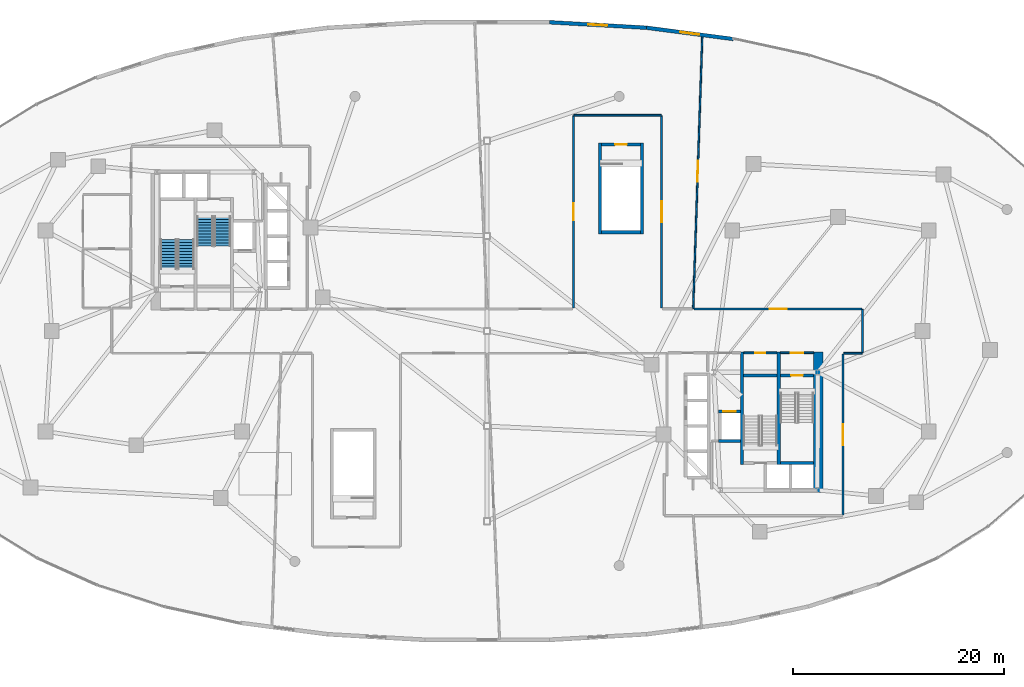
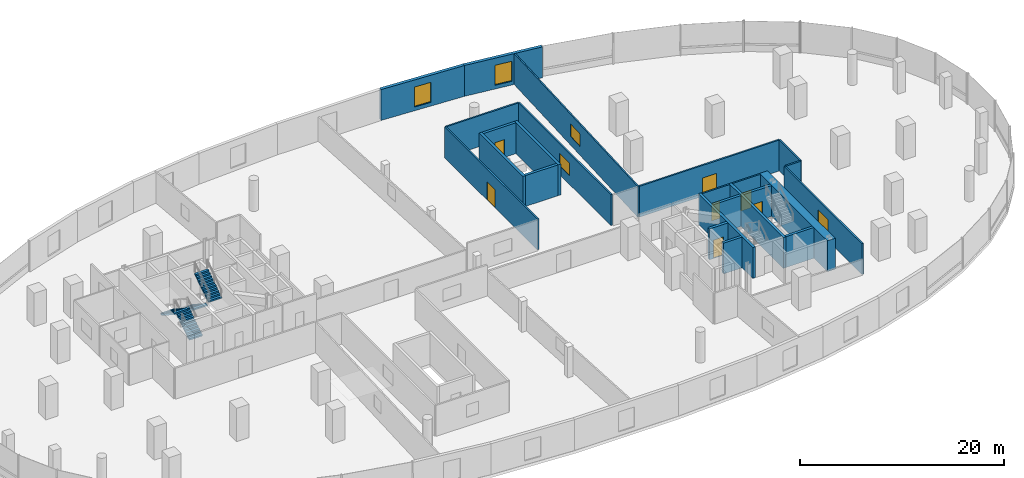
# One storey, part 15 of 18: 24 walls, 7 doors, 5 windows, 4 stair flights, 12 openings, 2 elements without a shape of their own.
"""IFC4 building model written with IfcOpenShell, lengths in metres."""

from ifc_helpers import new_model, si_unit, direction, frame, frame_2d, origin, place, context, subcontext, project, spatial, polyline, rectangle, outline, extrude, material, layer, layer_set, type_object, element, fill, aggregate, save


model = new_model("IFC4")

# Units and contexts
model_context = context("Model", 3, precision=1e-05, world=origin(), true_north=direction((0.0, 1.0)))
body_context = subcontext(model_context, "Body", "Model", "MODEL_VIEW")
ifc_project = project(units=[si_unit("LENGTHUNIT", "METRE"), si_unit("AREAUNIT", "SQUARE_METRE"), si_unit("VOLUMEUNIT", "CUBIC_METRE"), si_unit("PLANEANGLEUNIT", "RADIAN"), si_unit("MASSUNIT", "GRAM", prefix="KILO"), si_unit("THERMODYNAMICTEMPERATUREUNIT", "KELVIN"), si_unit("POWERUNIT", "WATT")], contexts=[model_context])

# Site, building, storey
site_placement = place(None, origin())
site = spatial("IfcSite", under=ifc_project, at=site_placement, CompositionType="ELEMENT")
building_placement = place(site_placement, origin())
building = spatial("IfcBuilding", under=site, at=building_placement, Name="Cundina Bronze Exchange", CompositionType="ELEMENT")
storey_placement = place(building_placement, frame((0.0, 0.0, 20.0)))
storey = spatial("IfcBuildingStorey", under=building, at=storey_placement, Name="L04", CompositionType="ELEMENT", Elevation=20.0)

# Wall, opening, door
ifc_material_1 = material(Name="Gypsum Fireboard Partition EI120")
ifc_layer_1 = layer(ifc_material_1, 0.179931640625, Name="Gypsum Fireboard Partition EI120")
ifc_layer_set_1 = layer_set([ifc_layer_1], Name="Gypsum Fireboard Partition EI120")
wall_type_1 = type_object("IfcWallType", Name="WL-COR-180", PredefinedType="PARTITIONING", material=ifc_layer_set_1)
wall_1_placement = place(storey_placement, frame((27.739990234375, -2.06005859375, 0.0), z_axis=(0.0, 0.0, 1.0), x_axis=(1.0, 0.0, 0.0)))
wall_1 = element("IfcWall", 1, at=wall_1_placement, inside=storey, type_object=wall_type_1, Name="L04 E Stair Vestibule Exit Wall", PredefinedType="PARTITIONING", context=body_context, shape_type="SweptSolid", body=[
    extrude(rectangle(XDim=3.159912109375, YDim=0.179931640625, at=frame_2d((1.580078125, 0.0))), origin(), (0.0, 0.0, 1.0), 3.699951171875),
])
opening_1_placement = place(wall_1_placement, frame((0.97998046875, 0.0, 0.0)))
opening_1 = element("IfcOpeningElement", 2, at=opening_1_placement, cuts=wall_1, Name="Opening DF-01", PredefinedType="OPENING", context=body_context, shape_type="SweptSolid", body=[
    extrude(rectangle(XDim=1.199951171875, YDim=2.14990234375, at=frame_2d((0.60009765625, 1.074951171875))), frame((0.0, 0.099853515625, 0.0), z_axis=(0.0, -1.0, 0.0), x_axis=(1.0, 0.0, 0.0)), (0.0, 0.0, 1.0), 0.199951171875),
])
ifc_material_2 = material(Name="Steel ASTM A36 Painted", Category="steel")
door_type_1 = type_object("IfcDoorType", Name="DR-FFL-1200", OperationType="NOTDEFINED", PredefinedType="DOOR", material=ifc_material_2)
door_1_placement = place(opening_1_placement, origin())
door_1 = element("IfcDoor", 3, at=door_1_placement, inside=storey, type_object=door_type_1, Name="L04 E Stair Vestibule Door", OperationType="SINGLE_SWING_RIGHT", OverallHeight=2.14990234375, OverallWidth=1.199951171875, PredefinedType="DOOR", context=body_context, shape_type="SweptSolid", body=[
    extrude(rectangle(XDim=1.199951171875, YDim=2.14990234375, at=frame_2d((0.60009765625, 1.074951171875))), frame((0.0, 0.02490234375, 0.0), z_axis=(0.0, -1.0, 0.0), x_axis=(1.0, 0.0, 0.0)), (0.0, 0.0, 1.0), 0.050048828125),
])
fill(opening_1, door_1)

wall_2_placement = place(storey_placement, frame((24.300048828125, -2.070068359375, 0.0), z_axis=(0.0, 0.0, 1.0), x_axis=(1.0, 0.0, 0.0)))
wall_2 = element("IfcWall", 4, at=wall_2_placement, inside=storey, type_object=wall_type_1, Name="L04 Interior Partition 010", PredefinedType="PARTITIONING", context=body_context, shape_type="SweptSolid", body=[
    extrude(rectangle(XDim=3.119873046875, YDim=0.179931640625, at=frame_2d((1.56005859375, 0.0))), origin(), (0.0, 0.0, 1.0), 3.699951171875),
])
opening_2_placement = place(wall_2_placement, frame((1.0849609375, 0.0, 0.0)))
opening_2 = element("IfcOpeningElement", 5, at=opening_2_placement, cuts=wall_2, Name="Opening DW-01", PredefinedType="OPENING", context=body_context, shape_type="SweptSolid", body=[
    extrude(rectangle(XDim=0.949951171875, YDim=2.10009765625, at=frame_2d((0.47509765625, 1.050048828125))), frame((0.0, 0.099853515625, 0.0), z_axis=(0.0, -1.0, 0.0), x_axis=(1.0, 0.0, 0.0)), (0.0, 0.0, 1.0), 0.199951171875),
])
ifc_material_3 = material(Name="Solid Andean Oak Timber Grade A", Category="wood")
door_type_2 = type_object("IfcDoorType", Name="DR-WC-950", OperationType="NOTDEFINED", PredefinedType="DOOR", material=ifc_material_3)
door_2_placement = place(opening_2_placement, origin())
door_2 = element("IfcDoor", 6, at=door_2_placement, inside=storey, type_object=door_type_2, Name="L04 Interior Door 010", OperationType="SINGLE_SWING_RIGHT", OverallHeight=2.10009765625, OverallWidth=0.949951171875, PredefinedType="DOOR", context=body_context, shape_type="SweptSolid", body=[
    extrude(rectangle(XDim=0.949951171875, YDim=2.10009765625, at=frame_2d((0.47509765625, 1.050048828125))), frame((0.0, 0.02490234375, 0.0), z_axis=(0.0, -1.0, 0.0), x_axis=(1.0, 0.0, 0.0)), (0.0, 0.0, 1.0), 0.050048828125),
])
fill(opening_2, door_2)

wall_3_placement = place(storey_placement, frame((35.478515625, 2.10009765625, 0.0), z_axis=(0.0, 0.0, 1.0), x_axis=(-1.0, 0.0, 0.0)))
wall_3 = element("IfcWall", 7, at=wall_3_placement, inside=storey, type_object=wall_type_1, Name="L04 Interior Partition 039", PredefinedType="PARTITIONING", context=body_context, shape_type="SweptSolid", body=[
    extrude(rectangle(XDim=15.883544921875, YDim=0.179931640625, at=frame_2d((7.94189453125, 0.0))), origin(), (0.0, 0.0, 1.0), 3.699951171875),
])
opening_3_placement = place(wall_3_placement, frame((7.1416015625, 0.0, 0.0)))
opening_3 = element("IfcOpeningElement", 8, at=opening_3_placement, cuts=wall_3, Name="Opening DO-02", PredefinedType="OPENING", context=body_context, shape_type="SweptSolid", body=[
    extrude(rectangle(XDim=1.60009765625, YDim=2.199951171875, at=frame_2d((0.800048828125, 1.10009765625))), frame((0.0, 0.099853515625, 0.0), z_axis=(0.0, -1.0, 0.0), x_axis=(1.0, 0.0, 0.0)), (0.0, 0.0, 1.0), 0.199951171875),
])
door_type_3 = type_object("IfcDoorType", Name="DR-TRD-1600", OperationType="NOTDEFINED", PredefinedType="DOOR", material=ifc_material_3)
door_3_placement = place(opening_3_placement, origin())
door_3 = element("IfcDoor", 9, at=door_3_placement, inside=storey, type_object=door_type_3, Name="L04 Interior Door 039", OperationType="SINGLE_SWING_RIGHT", OverallHeight=2.199951171875, OverallWidth=1.60009765625, PredefinedType="DOOR", context=body_context, shape_type="SweptSolid", body=[
    extrude(rectangle(XDim=1.60009765625, YDim=2.199951171875, at=frame_2d((0.800048828125, 1.10009765625))), frame((0.0, 0.02490234375, 0.0), z_axis=(0.0, -1.0, 0.0), x_axis=(1.0, 0.0, 0.0)), (0.0, 0.0, 1.0), 0.050048828125),
])
fill(opening_3, door_3)

# Wall, opening, window
wall_4_placement = place(storey_placement, frame((33.669921875, -17.428466796875, 0.0), z_axis=(0.0, 0.0, 1.0), x_axis=(0.0, 1.0, 0.0)))
wall_4 = element("IfcWall", 10, at=wall_4_placement, inside=storey, type_object=wall_type_1, Name="L04 Interior Partition 040", PredefinedType="PARTITIONING", context=body_context, shape_type="SweptSolid", body=[
    extrude(rectangle(XDim=15.24853515625, YDim=0.179931640625, at=frame_2d((7.624267578125, 0.0))), origin(), (0.0, 0.0, 1.0), 3.699951171875),
])
opening_4_placement = place(wall_4_placement, frame((6.6240234375, 0.0, 1.050048828125)))
opening_4 = element("IfcOpeningElement", 11, at=opening_4_placement, cuts=wall_4, Name="Opening WI-01", PredefinedType="OPENING", context=body_context, shape_type="SweptSolid", body=[
    extrude(rectangle(XDim=2.0, YDim=1.5, at=frame_2d((1.0, 0.75))), frame((0.0, 0.099853515625, 0.0), z_axis=(0.0, -1.0, 0.0), x_axis=(1.0, 0.0, 0.0)), (0.0, 0.0, 1.0), 0.199951171875),
])
ifc_material_4 = material(Name="Clear Low-E Insulating Glass 26mm", Category="glass")
window_type_1 = type_object("IfcWindowType", Name="WN-INT-2000", PartitioningType="SINGLE_PANEL", PredefinedType="WINDOW", material=ifc_material_4)
window_1_placement = place(opening_4_placement, origin())
window_1 = element("IfcWindow", 12, at=window_1_placement, inside=storey, type_object=window_type_1, Name="L04 Interior Acoustic Vision Window 040", OverallHeight=1.5, OverallWidth=2.0, PartitioningType="SINGLE_PANEL", PredefinedType="WINDOW", context=body_context, shape_type="SweptSolid", body=[
    extrude(rectangle(XDim=2.0, YDim=1.5, at=frame_2d((1.0, 0.75))), frame((0.0, 0.030029296875, 0.0), z_axis=(0.0, -1.0, 0.0), x_axis=(1.0, 0.0, 0.0)), (0.0, 0.0, 1.0), 0.06005859375),
])
fill(opening_4, window_1)

# Walls
wall_5_placement = place(storey_placement, frame((35.52001953125, -2.05859375, 0.0), z_axis=(0.0, 0.0, 1.0), x_axis=(0.0, 1.0, 0.0)))
element("IfcWall", 13, at=wall_5_placement, inside=storey, type_object=wall_type_1, Name="L04 Interior Partition 042", PredefinedType="PARTITIONING", context=body_context, shape_type="SweptSolid", body=[
    extrude(rectangle(XDim=4.1171875, YDim=0.179931640625, at=frame_2d((2.05859375, 0.0))), origin(), (0.0, 0.0, 1.0), 3.699951171875),
])
wall_6_placement = place(storey_placement, frame((33.75, -2.10009765625, 0.0), z_axis=(0.0, 0.0, 1.0), x_axis=(1.0, 0.0, 0.0)))
element("IfcWall", 14, at=wall_6_placement, inside=storey, type_object=wall_type_1, Name="L04 Interior Partition 043", PredefinedType="PARTITIONING", context=body_context, shape_type="SweptSolid", body=[
    extrude(rectangle(XDim=1.728515625, YDim=0.179931640625, at=frame_2d((0.8642578125, 0.0))), origin(), (0.0, 0.0, 1.0), 3.699951171875),
])

# Wall, opening, door
wall_7_placement = place(storey_placement, frame((8.179931640625, 20.37841796875, 0.0), z_axis=(0.0, 0.0, 1.0), x_axis=(0.0, -1.0, 0.0)))
wall_7 = element("IfcWall", 15, at=wall_7_placement, inside=storey, type_object=wall_type_1, Name="L04 Interior Partition 047", PredefinedType="PARTITIONING", context=body_context, shape_type="SweptSolid", body=[
    extrude(rectangle(XDim=18.198486328125, YDim=0.179931640625, at=frame_2d((9.09912109375, 0.0))), origin(), (0.0, 0.0, 1.0), 3.699951171875),
])
opening_5_placement = place(wall_7_placement, frame((8.29931640625, 0.0, 0.0)))
opening_5 = element("IfcOpeningElement", 16, at=opening_5_placement, cuts=wall_7, Name="Opening DO-02", PredefinedType="OPENING", context=body_context, shape_type="SweptSolid", body=[
    extrude(rectangle(XDim=1.60009765625, YDim=2.199951171875, at=frame_2d((0.800048828125, 1.10009765625))), frame((0.0, 0.099853515625, 0.0), z_axis=(0.0, -1.0, 0.0), x_axis=(1.0, 0.0, 0.0)), (0.0, 0.0, 1.0), 0.199951171875),
])
door_4_placement = place(opening_5_placement, origin())
door_4 = element("IfcDoor", 17, at=door_4_placement, inside=storey, type_object=door_type_3, Name="L04 Interior Door 047", OperationType="SINGLE_SWING_RIGHT", OverallHeight=2.199951171875, OverallWidth=1.60009765625, PredefinedType="DOOR", context=body_context, shape_type="SweptSolid", body=[
    extrude(rectangle(XDim=1.60009765625, YDim=2.199951171875, at=frame_2d((0.800048828125, 1.10009765625))), frame((0.0, 0.02490234375, 0.0), z_axis=(0.0, -1.0, 0.0), x_axis=(1.0, 0.0, 0.0)), (0.0, 0.0, 1.0), 0.050048828125),
])
fill(opening_5, door_4)

# Wall, opening, window
wall_8_placement = place(storey_placement, frame((16.52001953125, 2.179931640625, 0.0), z_axis=(0.0, 0.0, 1.0), x_axis=(0.0, 1.0, 0.0)))
wall_8 = element("IfcWall", 18, at=wall_8_placement, inside=storey, type_object=wall_type_1, Name="L04 Interior Partition 048", PredefinedType="PARTITIONING", context=body_context, shape_type="SweptSolid", body=[
    extrude(rectangle(XDim=18.198486328125, YDim=0.179931640625, at=frame_2d((9.09912109375, 0.0))), origin(), (0.0, 0.0, 1.0), 3.699951171875),
])
opening_6_placement = place(wall_8_placement, frame((8.09912109375, 0.0, 1.050048828125)))
opening_6 = element("IfcOpeningElement", 19, at=opening_6_placement, cuts=wall_8, Name="Opening WI-01", PredefinedType="OPENING", context=body_context, shape_type="SweptSolid", body=[
    extrude(rectangle(XDim=2.0, YDim=1.5, at=frame_2d((1.0, 0.75))), frame((0.0, 0.099853515625, 0.0), z_axis=(0.0, -1.0, 0.0), x_axis=(1.0, 0.0, 0.0)), (0.0, 0.0, 1.0), 0.199951171875),
])
window_2_placement = place(opening_6_placement, origin())
window_2 = element("IfcWindow", 20, at=window_2_placement, inside=storey, type_object=window_type_1, Name="L04 Interior Acoustic Vision Window 048", OverallHeight=1.5, OverallWidth=2.0, PartitioningType="SINGLE_PANEL", PredefinedType="WINDOW", context=body_context, shape_type="SweptSolid", body=[
    extrude(rectangle(XDim=2.0, YDim=1.5, at=frame_2d((1.0, 0.75))), frame((0.0, 0.030029296875, 0.0), z_axis=(0.0, -1.0, 0.0), x_axis=(1.0, 0.0, 0.0)), (0.0, 0.0, 1.0), 0.06005859375),
])
fill(opening_6, window_2)

# Walls
wall_9_placement = place(storey_placement, frame((16.478515625, 20.419921875, 0.0), z_axis=(0.0, 0.0, 1.0), x_axis=(-1.0, 0.0, 0.0)))
element("IfcWall", 21, at=wall_9_placement, inside=storey, type_object=wall_type_1, Name="L04 Interior Partition 049", PredefinedType="PARTITIONING", context=body_context, shape_type="SweptSolid", body=[
    extrude(rectangle(XDim=8.257080078125, YDim=0.179931640625, at=frame_2d((4.12841796875, 0.0))), origin(), (0.0, 0.0, 1.0), 3.699951171875),
])
ifc_material_5 = material(Name="Concrete C60/75", Category="concrete")
ifc_layer_2 = layer(ifc_material_5, 0.89990234375, Name="Concrete C60/75", Category="concrete")
ifc_layer_set_2 = layer_set([ifc_layer_2], Name="Concrete C60/75")
wall_type_2 = type_object("IfcWallType", Name="WL-CORE-900", PredefinedType="SHEAR", material=ifc_layer_set_2)
wall_10_placement = place(storey_placement, frame((31.35009765625, -15.300048828125, 0.0), z_axis=(0.0, 0.0, 1.0), x_axis=(0.0, 1.0, 0.0)))
element("IfcWall", 22, at=wall_10_placement, inside=storey, type_object=wall_type_2, Name="L04 E Primary Core Shear Spine Wall", PredefinedType="SHEAR", context=body_context, shape_type="SweptSolid", body=[
    extrude(rectangle(XDim=13.330078125, YDim=0.89990234375, at=frame_2d((6.6650390625, 0.0))), origin(), (0.0, 0.0, 1.0), 3.699951171875),
])

# Wall, opening, window
ifc_material_6 = material(Name="Concrete C40/50", Category="concrete")
ifc_layer_3 = layer(ifc_material_6, 0.35009765625, Name="Concrete C40/50", Category="concrete")
ifc_layer_set_3 = layer_set([ifc_layer_3], Name="Concrete C40/50")
wall_type_3 = type_object("IfcWallType", Name="WL-EXT-350", PredefinedType="SOLIDWALL", material=ifc_layer_set_3)
wall_11_placement = place(storey_placement, frame((23.29345703125, 27.63232421875, 0.0), z_axis=(0.0, 0.0, 1.0), x_axis=(-0.99168663472, 0.128676410104, 0.0)))
wall_11 = element("IfcWall", 23, at=wall_11_placement, inside=storey, type_object=wall_type_3, Name="L04 Podium Exterior Wall 08", PredefinedType="SOLIDWALL", context=body_context, shape_type="SweptSolid", body=[
    extrude(rectangle(XDim=8.28369140625, YDim=0.35009765625, at=frame_2d((4.141845703125, 0.0))), origin(), (0.0, 0.0, 1.0), 3.699951171875),
])
opening_7_placement = place(wall_11_placement, frame((3.241943359375, 0.0, 0.449951171875)))
opening_7 = element("IfcOpeningElement", 24, at=opening_7_placement, cuts=wall_11, Name="Opening W-02", PredefinedType="OPENING", context=body_context, shape_type="SweptSolid", body=[
    extrude(rectangle(XDim=1.800048828125, YDim=2.39990234375, at=frame_2d((0.89990234375, 1.199951171875))), frame((0.0, 0.18505859375, 0.0), z_axis=(0.0, -1.0, 0.0), x_axis=(1.0, 0.0, 0.0)), (0.0, 0.0, 1.0), 0.3701171875),
])
ifc_material_7 = material(Name="Heat-Strengthened Solar-Control Bronze Safety Glass 28mm", Category="glass")
window_type_2 = type_object("IfcWindowType", Name="WN-POD-1800", PartitioningType="SINGLE_PANEL", PredefinedType="WINDOW", material=ifc_material_7)
window_3_placement = place(opening_7_placement, origin())
window_3 = element("IfcWindow", 25, at=window_3_placement, inside=storey, type_object=window_type_2, Name="L04 Podium Punched Window 08", OverallHeight=2.39990234375, OverallWidth=1.800048828125, PartitioningType="SINGLE_PANEL", PredefinedType="WINDOW", context=body_context, shape_type="SweptSolid", body=[
    extrude(rectangle(XDim=1.800048828125, YDim=2.39990234375, at=frame_2d((0.89990234375, 1.199951171875))), frame((0.0, 0.030029296875, 0.0), z_axis=(0.0, -1.0, 0.0), x_axis=(1.0, 0.0, 0.0)), (0.0, 0.0, 1.0), 0.06005859375),
])
fill(opening_7, window_3)

wall_12_placement = place(storey_placement, frame((15.07861328125, 28.6982421875, 0.0), z_axis=(0.0, 0.0, 1.0), x_axis=(-0.998413463137, 0.056307695976, 0.0)))
wall_12 = element("IfcWall", 26, at=wall_12_placement, inside=storey, type_object=wall_type_3, Name="L04 Podium Exterior Wall 09", PredefinedType="SOLIDWALL", context=body_context, shape_type="SweptSolid", body=[
    extrude(rectangle(XDim=9.20068359375, YDim=0.35009765625, at=frame_2d((4.600341796875, 0.0))), origin(), (0.0, 0.0, 1.0), 3.699951171875),
])
opening_8_placement = place(wall_12_placement, frame((3.699951171875, 0.0, 0.449951171875)))
opening_8 = element("IfcOpeningElement", 27, at=opening_8_placement, cuts=wall_12, Name="Opening W-02", PredefinedType="OPENING", context=body_context, shape_type="SweptSolid", body=[
    extrude(rectangle(XDim=1.800048828125, YDim=2.39990234375, at=frame_2d((0.89990234375, 1.199951171875))), frame((0.0, 0.18505859375, 0.0), z_axis=(0.0, -1.0, 0.0), x_axis=(1.0, 0.0, 0.0)), (0.0, 0.0, 1.0), 0.3701171875),
])
window_4_placement = place(opening_8_placement, origin())
window_4 = element("IfcWindow", 28, at=window_4_placement, inside=storey, type_object=window_type_2, Name="L04 Podium Punched Window 09", OverallHeight=2.39990234375, OverallWidth=1.800048828125, PartitioningType="SINGLE_PANEL", PredefinedType="WINDOW", context=body_context, shape_type="SweptSolid", body=[
    extrude(rectangle(XDim=1.800048828125, YDim=2.39990234375, at=frame_2d((0.89990234375, 1.199951171875))), frame((0.0, 0.030029296875, 0.0), z_axis=(0.0, -1.0, 0.0), x_axis=(1.0, 0.0, 0.0)), (0.0, 0.0, 1.0), 0.06005859375),
])
fill(opening_8, window_4)

# Walls
ifc_material_8 = material(Name="Concrete C50/60", Category="concrete")
ifc_layer_4 = layer(ifc_material_8, 0.300048828125, Name="Concrete C50/60", Category="concrete")
ifc_layer_set_4 = layer_set([ifc_layer_4], Name="Concrete C50/60")
wall_type_4 = type_object("IfcWallType", Name="WL-SHFT-300", PredefinedType="SHEAR", material=ifc_layer_set_4)
for number, where, z_axis, x_axis, name in (
    (29, (10.669921875, 9.199951171875, 0.0), (0.0, 0.0, 1.0), (0.0, 1.0, 0.0), "L04 Concourse Stair E West Shaft Wall"),
    (30, (14.669921875, 9.199951171875, 0.0), (0.0, 0.0, 1.0), (0.0, 1.0, 0.0), "L04 Concourse Stair E East Shaft Wall"),
):
    element("IfcWall", number, at=place(storey_placement, frame(where, z_axis=z_axis, x_axis=x_axis)), inside=storey, type_object=wall_type_4, Name=name, PredefinedType="SHEAR", context=body_context, shape_type="SweptSolid", body=[
        extrude(rectangle(XDim=8.60009765625, YDim=0.300048828125, at=frame_2d((4.300048828125, 0.0))), origin(), (0.0, 0.0, 1.0), 3.699951171875),
    ])

# Wall, opening, door
wall_13_placement = place(storey_placement, frame((10.820068359375, 17.64990234375, 0.0), z_axis=(0.0, 0.0, 1.0), x_axis=(1.0, 0.0, 0.0)))
wall_13 = element("IfcWall", 31, at=wall_13_placement, inside=storey, type_object=wall_type_4, Name="L04 Concourse Stair E Landing Wall", PredefinedType="SHEAR", context=body_context, shape_type="SweptSolid", body=[
    extrude(rectangle(XDim=3.699951171875, YDim=0.300048828125, at=frame_2d((1.85009765625, 0.0))), origin(), (0.0, 0.0, 1.0), 3.699951171875),
])
opening_9_placement = place(wall_13_placement, frame((1.300048828125, 0.0, 0.0)))
opening_9 = element("IfcOpeningElement", 32, at=opening_9_placement, cuts=wall_13, Name="Opening DS-01", PredefinedType="OPENING", context=body_context, shape_type="SweptSolid", body=[
    extrude(rectangle(XDim=1.10009765625, YDim=2.14990234375, at=frame_2d((0.550048828125, 1.074951171875))), frame((0.0, 0.159912109375, 0.0), z_axis=(0.0, -1.0, 0.0), x_axis=(1.0, 0.0, 0.0)), (0.0, 0.0, 1.0), 0.320068359375),
])
door_type_4 = type_object("IfcDoorType", Name="DR-STR-1100", OperationType="NOTDEFINED", PredefinedType="DOOR", material=ifc_material_2)
door_5_placement = place(opening_9_placement, origin())
door_5 = element("IfcDoor", 33, at=door_5_placement, inside=storey, type_object=door_type_4, Name="L04 Concourse Stair E Door", OperationType="SINGLE_SWING_RIGHT", OverallHeight=2.14990234375, OverallWidth=1.10009765625, PredefinedType="DOOR", context=body_context, shape_type="SweptSolid", body=[
    extrude(rectangle(XDim=1.10009765625, YDim=2.14990234375, at=frame_2d((0.550048828125, 1.074951171875))), frame((0.0, 0.02490234375, 0.0), z_axis=(0.0, -1.0, 0.0), x_axis=(1.0, 0.0, 0.0)), (0.0, 0.0, 1.0), 0.050048828125),
])
fill(opening_9, door_5)

# Walls
wall_14_placement = place(storey_placement, frame((10.820068359375, 9.35009765625, 0.0), z_axis=(0.0, 0.0, 1.0), x_axis=(1.0, 0.0, 0.0)))
element("IfcWall", 34, at=wall_14_placement, inside=storey, type_object=wall_type_4, Name="L04 Concourse Stair E Far Shaft Wall", PredefinedType="SHEAR", context=body_context, shape_type="SweptSolid", body=[
    extrude(rectangle(XDim=3.699951171875, YDim=0.300048828125, at=frame_2d((1.85009765625, 0.0))), origin(), (0.0, 0.0, 1.0), 3.699951171875),
])
for number, where, z_axis, x_axis, name in (
    (35, (27.590087890625, -12.64990234375, 0.0), (0.0, 0.0, 1.0), (0.0, 1.0, 0.0), "L04 E Stair Shaft Dividing Shear Wall"),
    (36, (24.1298828125, -12.64990234375, 0.0), (0.0, 0.0, 1.0), (0.0, 1.0, 0.0), "L04 E Stair 2 East Shear Wall"),
):
    element("IfcWall", number, at=place(storey_placement, frame(where, z_axis=z_axis, x_axis=x_axis)), inside=storey, type_object=wall_type_4, Name=name, PredefinedType="SHEAR", context=body_context, shape_type="SweptSolid", body=[
        extrude(rectangle(XDim=10.679931640625, YDim=0.300048828125, at=frame_2d((5.33984375, 0.0))), origin(), (0.0, 0.0, 1.0), 3.699951171875),
    ])

# Wall, opening, door
wall_15_placement = place(storey_placement, frame((27.739990234375, -4.199951171875, 0.0), z_axis=(0.0, 0.0, 1.0), x_axis=(1.0, 0.0, 0.0)))
wall_15 = element("IfcWall", 37, at=wall_15_placement, inside=storey, type_object=wall_type_4, Name="L04 Stair E1 Landing Wall", PredefinedType="SHEAR", context=body_context, shape_type="SweptSolid", body=[
    extrude(rectangle(XDim=3.159912109375, YDim=0.300048828125, at=frame_2d((1.580078125, 0.0))), origin(), (0.0, 0.0, 1.0), 3.699951171875),
])
opening_10_placement = place(wall_15_placement, frame((1.030029296875, 0.0, 0.0)))
opening_10 = element("IfcOpeningElement", 38, at=opening_10_placement, cuts=wall_15, Name="Opening DS-01", PredefinedType="OPENING", context=body_context, shape_type="SweptSolid", body=[
    extrude(rectangle(XDim=1.10009765625, YDim=2.14990234375, at=frame_2d((0.550048828125, 1.074951171875))), frame((0.0, 0.159912109375, 0.0), z_axis=(0.0, -1.0, 0.0), x_axis=(1.0, 0.0, 0.0)), (0.0, 0.0, 1.0), 0.320068359375),
])
door_6_placement = place(opening_10_placement, origin())
door_6 = element("IfcDoor", 39, at=door_6_placement, inside=storey, type_object=door_type_4, Name="L04 Smokeproof Stair E1 Door", OperationType="SINGLE_SWING_LEFT", OverallHeight=2.14990234375, OverallWidth=1.10009765625, PredefinedType="DOOR", context=body_context, shape_type="SweptSolid", body=[
    extrude(rectangle(XDim=1.10009765625, YDim=2.14990234375, at=frame_2d((0.550048828125, 1.074951171875))), frame((0.0, 0.02490234375, 0.0), z_axis=(0.0, -1.0, 0.0), x_axis=(1.0, 0.0, 0.0)), (0.0, 0.0, 1.0), 0.050048828125),
])
fill(opening_10, door_6)

# Walls
for number, where, z_axis, x_axis, name in (
    (40, (27.739990234375, -12.5, 0.0), (0.0, 0.0, 1.0), (1.0, 0.0, 0.0), "L04 Stair E1 Far Shaft Wall"),
    (41, (24.280029296875, -4.199951171875, 0.0), (0.0, 0.0, 1.0), (1.0, 0.0, 0.0), "L04 Stair E2 Far Shaft Wall"),
):
    element("IfcWall", number, at=place(storey_placement, frame(where, z_axis=z_axis, x_axis=x_axis)), inside=storey, type_object=wall_type_4, Name=name, PredefinedType="SHEAR", context=body_context, shape_type="SweptSolid", body=[
        extrude(rectangle(XDim=3.159912109375, YDim=0.300048828125, at=frame_2d((1.580078125, 0.0))), origin(), (0.0, 0.0, 1.0), 3.699951171875),
    ])

# Wall, opening, door
wall_16_placement = place(storey_placement, frame((21.8798828125, -7.60009765625, 0.0), z_axis=(0.0, 0.0, 1.0), x_axis=(1.0, 0.0, 0.0)))
wall_16 = element("IfcWall", 42, at=wall_16_placement, inside=storey, type_object=wall_type_4, Name="L04 FFL-E Hoistway Front Wall", PredefinedType="SHEAR", context=body_context, shape_type="SweptSolid", body=[
    extrude(rectangle(XDim=2.10009765625, YDim=0.300048828125, at=frame_2d((1.050048828125, 0.0))), origin(), (0.0, 0.0, 1.0), 3.699951171875),
])
opening_11_placement = place(wall_16_placement, frame((0.47509765625, 0.0, 0.0)))
opening_11 = element("IfcOpeningElement", 43, at=opening_11_placement, cuts=wall_16, Name="Opening LD-01", PredefinedType="OPENING", context=body_context, shape_type="SweptSolid", body=[
    extrude(rectangle(XDim=1.14990234375, YDim=2.199951171875, at=frame_2d((0.574951171875, 1.10009765625))), frame((0.0, 0.159912109375, 0.0), z_axis=(0.0, -1.0, 0.0), x_axis=(1.0, 0.0, 0.0)), (0.0, 0.0, 1.0), 0.320068359375),
])
door_type_5 = type_object("IfcDoorType", Name="DR-LND-1150", OperationType="NOTDEFINED", PredefinedType="TRAPDOOR", material=ifc_material_2)
door_7_placement = place(opening_11_placement, origin())
door_7 = element("IfcDoor", 44, at=door_7_placement, inside=storey, type_object=door_type_5, Name="L04 FFL-E Sliding Landing Door", OperationType="SLIDING_TO_LEFT", OverallHeight=2.199951171875, OverallWidth=1.14990234375, PredefinedType="TRAPDOOR", context=body_context, shape_type="SweptSolid", body=[
    extrude(rectangle(XDim=1.14990234375, YDim=2.199951171875, at=frame_2d((0.574951171875, 1.10009765625))), frame((0.0, 0.02490234375, 0.0), z_axis=(0.0, -1.0, 0.0), x_axis=(1.0, 0.0, 0.0)), (0.0, 0.0, 1.0), 0.050048828125),
])
fill(opening_11, door_7)

# Wall
wall_17_placement = place(storey_placement, frame((21.8798828125, -10.39990234375, 0.0), z_axis=(0.0, 0.0, 1.0), x_axis=(1.0, 0.0, 0.0)))
element("IfcWall", 45, at=wall_17_placement, inside=storey, type_object=wall_type_4, Name="L04 FFL-E Hoistway Back Wall", PredefinedType="SHEAR", context=body_context, shape_type="SweptSolid", body=[
    extrude(rectangle(XDim=2.10009765625, YDim=0.300048828125, at=frame_2d((1.050048828125, 0.0))), origin(), (0.0, 0.0, 1.0), 3.699951171875),
])

# Wall, opening, window
ifc_material_9 = material(Name="Gypsum Acoustic Partition EI60")
ifc_layer_5 = layer(ifc_material_9, 0.14990234375, Name="Gypsum Acoustic Partition EI60")
ifc_layer_set_5 = layer_set([ifc_layer_5], Name="Gypsum Acoustic Partition EI60")
wall_type_5 = type_object("IfcWallType", Name="WL-TEN-150", PredefinedType="PARTITIONING", material=ifc_layer_set_5)
wall_18_placement = place(storey_placement, frame((19.5, 2.1298828125, 0.0), z_axis=(0.0, 0.0, 1.0), x_axis=(0.033375525231, 0.999442881968, 0.0)))
wall_18 = element("IfcWall", 46, at=wall_18_placement, inside=storey, type_object=wall_type_5, Name="L04 Interior Partition 026", PredefinedType="PARTITIONING", context=body_context, shape_type="SweptSolid", body=[
    extrude(rectangle(XDim=25.982666015625, YDim=0.14990234375, at=frame_2d((12.9912109375, 0.0))), origin(), (0.0, 0.0, 1.0), 3.699951171875),
])
opening_12_placement = place(wall_18_placement, frame((11.990966796875, 0.0, 1.050048828125)))
opening_12 = element("IfcOpeningElement", 47, at=opening_12_placement, cuts=wall_18, Name="Opening WI-01", PredefinedType="OPENING", context=body_context, shape_type="SweptSolid", body=[
    extrude(rectangle(XDim=2.0, YDim=1.5, at=frame_2d((1.0, 0.75))), frame((0.0, 0.0849609375, 0.0), z_axis=(0.0, -1.0, 0.0), x_axis=(1.0, 0.0, 0.0)), (0.0, 0.0, 1.0), 0.169921875),
])
window_5_placement = place(opening_12_placement, origin())
window_5 = element("IfcWindow", 48, at=window_5_placement, inside=storey, type_object=window_type_1, Name="L04 Interior Acoustic Vision Window 026", OverallHeight=1.5, OverallWidth=2.0, PartitioningType="SINGLE_PANEL", PredefinedType="WINDOW", context=body_context, shape_type="SweptSolid", body=[
    extrude(rectangle(XDim=2.0, YDim=1.5, at=frame_2d((1.0, 0.75))), frame((0.0, 0.030029296875, 0.0), z_axis=(0.0, -1.0, 0.0), x_axis=(1.0, 0.0, 0.0)), (0.0, 0.0, 1.0), 0.06005859375),
])
fill(opening_12, window_5)

# Stair, stair flights
stair_type = type_object("IfcStairType", Name="STR-POD-400", PredefinedType="HALF_TURN_STAIR", material=ifc_material_6)
stair_1_placement = place(storey_placement, origin())
stair_1 = element("IfcStair", 49, at=stair_1_placement, inside=storey, type_object=stair_type, Name="L04 Smokeproof Exit Stair W1", PredefinedType="HALF_TURN_STAIR")
stair_flight_type = type_object("IfcStairFlightType", Name="FLG-POD-200", PredefinedType="STRAIGHT", material=ifc_material_6)
stair_flight_1_placement = place(storey_placement, frame((-28.489990234375, 5.85009765625, 0.0), z_axis=(0.0, 0.0, 1.0), x_axis=(0.0, 1.0, 0.0)))
stair_flight_1 = element("IfcStairFlight", 50, at=stair_flight_1_placement, type_object=stair_flight_type, Name="ST-W1 flight 1", NumberOfRisers=11, NumberOfTreads=10, PredefinedType="STRAIGHT", RiserHeight=0.181818182, TreadLength=0.28, context=body_context, shape_type="SweptSolid", body=[
    extrude(outline(polyline([(0.0, 0.0), (0.0, 0.181884765625), (0.280029296875, 0.181884765625), (0.280029296875, 0.363525390625), (0.56005859375, 0.363525390625), (0.56005859375, 0.54541015625), (0.840087890625, 0.54541015625), (0.840087890625, 0.727294921875), (1.1201171875, 0.727294921875), (1.1201171875, 0.9091796875), (1.39990234375, 0.9091796875), (1.39990234375, 1.0908203125), (1.679931640625, 1.0908203125), (1.679931640625, 1.272705078125), (1.9599609375, 1.272705078125), (1.9599609375, 1.45458984375), (2.239990234375, 1.45458984375), (2.239990234375, 1.636474609375), (2.52001953125, 1.636474609375), (2.52001953125, 1.818115234375), (2.800048828125, 1.818115234375), (2.800048828125, 2.0), (2.800048828125, 1.639404296875), (0.275146484375, 0.0), (0.0, 0.0)])), frame((0.0, 0.75, 0.0), z_axis=(0.0, -1.0, 0.0), x_axis=(1.0, 0.0, 0.0)), (0.0, 0.0, 1.0), 1.5),
])
stair_flight_2_placement = place(storey_placement, frame((-30.14990234375, 8.64990234375, 2.0), z_axis=(0.0, 0.0, 1.0), x_axis=(0.0, -1.0, 0.0)))
stair_flight_2 = element("IfcStairFlight", 51, at=stair_flight_2_placement, type_object=stair_flight_type, Name="ST-W1 flight 2", NumberOfRisers=11, NumberOfTreads=10, PredefinedType="STRAIGHT", RiserHeight=0.181818182, TreadLength=0.28, context=body_context, shape_type="SweptSolid", body=[
    extrude(outline(polyline([(0.0, 0.0), (0.0, 0.181884765625), (0.280029296875, 0.181884765625), (0.280029296875, 0.363525390625), (0.56005859375, 0.363525390625), (0.56005859375, 0.54541015625), (0.840087890625, 0.54541015625), (0.840087890625, 0.727294921875), (1.1201171875, 0.727294921875), (1.1201171875, 0.9091796875), (1.39990234375, 0.9091796875), (1.39990234375, 1.0908203125), (1.679931640625, 1.0908203125), (1.679931640625, 1.272705078125), (1.9599609375, 1.272705078125), (1.9599609375, 1.45458984375), (2.239990234375, 1.45458984375), (2.239990234375, 1.636474609375), (2.52001953125, 1.636474609375), (2.52001953125, 1.818115234375), (2.800048828125, 1.818115234375), (2.800048828125, 2.0), (2.800048828125, 1.639404296875), (0.275146484375, 0.0), (0.0, 0.0)])), frame((0.0, 0.75, 0.0), z_axis=(0.0, -1.0, 0.0), x_axis=(1.0, 0.0, 0.0)), (0.0, 0.0, 1.0), 1.5),
])
aggregate(stair_1, [stair_flight_1, stair_flight_2])

stair_2_placement = place(storey_placement, origin())
stair_2 = element("IfcStair", 52, at=stair_2_placement, inside=storey, type_object=stair_type, Name="L04 Smokeproof Exit Stair W2", PredefinedType="HALF_TURN_STAIR")
stair_flight_3_placement = place(storey_placement, frame((-26.68994140625, 10.85009765625, 0.0), z_axis=(0.0, 0.0, 1.0), x_axis=(0.0, -1.0, 0.0)))
stair_flight_3 = element("IfcStairFlight", 53, at=stair_flight_3_placement, type_object=stair_flight_type, Name="ST-W2 flight 1", NumberOfRisers=11, NumberOfTreads=10, PredefinedType="STRAIGHT", RiserHeight=0.181818182, TreadLength=0.28, context=body_context, shape_type="SweptSolid", body=[
    extrude(outline(polyline([(0.0, 0.0), (0.0, 0.181884765625), (0.280029296875, 0.181884765625), (0.280029296875, 0.363525390625), (0.56005859375, 0.363525390625), (0.56005859375, 0.54541015625), (0.840087890625, 0.54541015625), (0.840087890625, 0.727294921875), (1.1201171875, 0.727294921875), (1.1201171875, 0.9091796875), (1.39990234375, 0.9091796875), (1.39990234375, 1.0908203125), (1.679931640625, 1.0908203125), (1.679931640625, 1.272705078125), (1.9599609375, 1.272705078125), (1.9599609375, 1.45458984375), (2.239990234375, 1.45458984375), (2.239990234375, 1.636474609375), (2.52001953125, 1.636474609375), (2.52001953125, 1.818115234375), (2.800048828125, 1.818115234375), (2.800048828125, 2.0), (2.800048828125, 1.639404296875), (0.275146484375, 0.0), (0.0, 0.0)])), frame((0.0, 0.75, 0.0), z_axis=(0.0, -1.0, 0.0), x_axis=(1.0, 0.0, 0.0)), (0.0, 0.0, 1.0), 1.5),
])
stair_flight_4_placement = place(storey_placement, frame((-25.030029296875, 8.050048828125, 2.0), z_axis=(0.0, 0.0, 1.0), x_axis=(0.0, 1.0, 0.0)))
stair_flight_4 = element("IfcStairFlight", 54, at=stair_flight_4_placement, type_object=stair_flight_type, Name="ST-W2 flight 2", NumberOfRisers=11, NumberOfTreads=10, PredefinedType="STRAIGHT", RiserHeight=0.181818182, TreadLength=0.28, context=body_context, shape_type="SweptSolid", body=[
    extrude(outline(polyline([(0.0, 0.0), (0.0, 0.181884765625), (0.280029296875, 0.181884765625), (0.280029296875, 0.363525390625), (0.56005859375, 0.363525390625), (0.56005859375, 0.54541015625), (0.840087890625, 0.54541015625), (0.840087890625, 0.727294921875), (1.1201171875, 0.727294921875), (1.1201171875, 0.9091796875), (1.39990234375, 0.9091796875), (1.39990234375, 1.0908203125), (1.679931640625, 1.0908203125), (1.679931640625, 1.272705078125), (1.9599609375, 1.272705078125), (1.9599609375, 1.45458984375), (2.239990234375, 1.45458984375), (2.239990234375, 1.636474609375), (2.52001953125, 1.636474609375), (2.52001953125, 1.818115234375), (2.800048828125, 1.818115234375), (2.800048828125, 2.0), (2.800048828125, 1.639404296875), (0.275146484375, 0.0), (0.0, 0.0)])), frame((0.0, 0.75, 0.0), z_axis=(0.0, -1.0, 0.0), x_axis=(1.0, 0.0, 0.0)), (0.0, 0.0, 1.0), 1.5),
])
aggregate(stair_2, [stair_flight_3, stair_flight_4])

save(model, "model.ifc")
